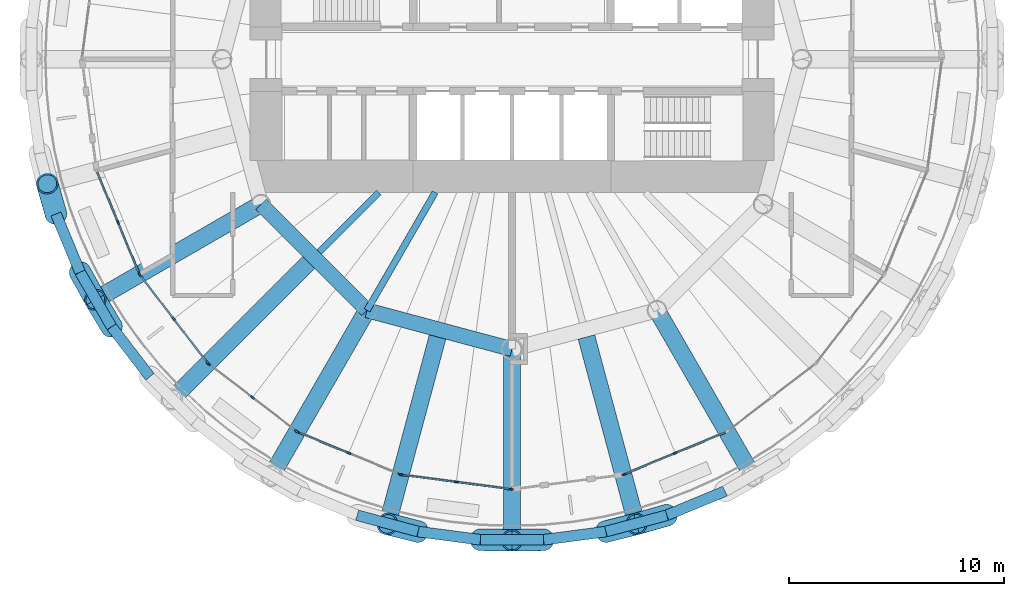
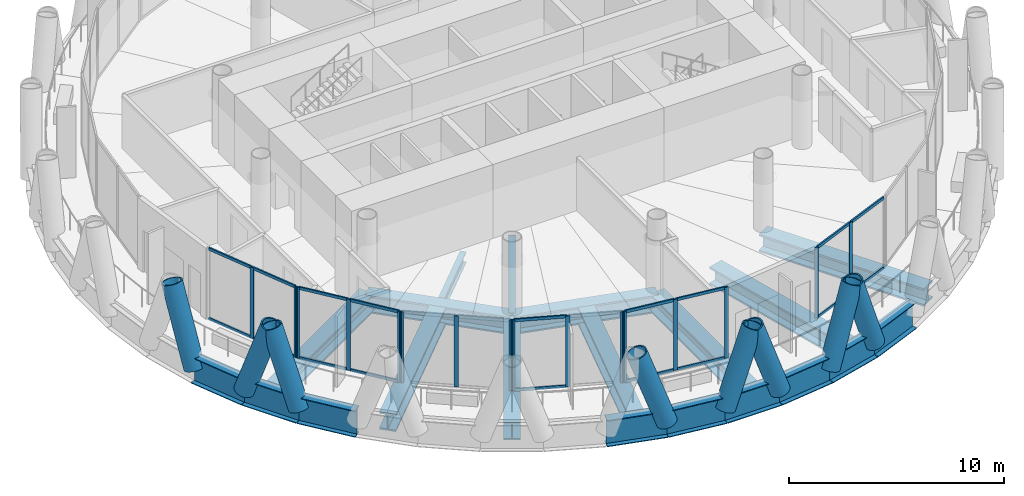
# One storey, part 2 of 14: 42 members, 20 beams, 6 elements without a shape of their own.
"""IFC4 building model written with IfcOpenShell, lengths in metres."""

from ifc_helpers import new_model, si_unit, direction, frame, origin, origin_2d, place, context, subcontext, project, spatial, rectangle, hollow_circle, i_section, extrude, material, material_profile, profile_set, type_object, element, aggregate, save


model = new_model("IFC4")

# Units and contexts
model_context = context("Model", 3, precision=1e-05, world=origin(), true_north=direction((0.0, 1.0)))
body_context = subcontext(model_context, "Body", "Model", "MODEL_VIEW")
ifc_project = project(units=[si_unit("LENGTHUNIT", "METRE"), si_unit("AREAUNIT", "SQUARE_METRE"), si_unit("VOLUMEUNIT", "CUBIC_METRE"), si_unit("PLANEANGLEUNIT", "RADIAN"), si_unit("MASSUNIT", "GRAM", prefix="KILO")], contexts=[model_context])

# Site, building, storey
site_placement = place(None, origin())
site = spatial("IfcSite", under=ifc_project, at=site_placement, CompositionType="ELEMENT")
building_placement = place(site_placement, origin())
building = spatial("IfcBuilding", under=site, at=building_placement, Name="Qaws Media Tower", CompositionType="ELEMENT")
storey_placement = place(building_placement, frame((0.0, 0.0, 240.199951171875)))
storey = spatial("IfcBuildingStorey", under=building, at=storey_placement, Name="L55", CompositionType="ELEMENT", Elevation=240.199951171875)

# Curtain wall, members
ifc_material_1 = material(Name="Aluminium and clear glass", Category="aluminium")
curtain_wall_type = type_object("IfcCurtainWallType", Name="Unitised curtain wall CW-C", PredefinedType="NOTDEFINED", material=ifc_material_1)
curtain_wall_1_placement = place(storey_placement, origin())
curtain_wall_1 = element("IfcCurtainWall", 1, at=curtain_wall_1_placement, inside=storey, type_object=curtain_wall_type, Name="CWC curtain wall L55-14", PredefinedType="NOTDEFINED")
ifc_material_2 = material(Name="Aluminium mullion", Category="aluminium")
ifc_material_profile_1 = material_profile(ifc_material_2, rectangle(XDim=0.080078125, YDim=0.199951171875, at=origin_2d()), Name="80x200")
ifc_profile_set_1 = profile_set([ifc_material_profile_1], Name="Aluminium mullion")
member_type_1 = type_object("IfcMemberType", Name="Curtain wall mullion 80x200", PredefinedType="MULLION", material=ifc_profile_set_1)
member_1_placement = place(storey_placement, frame((41.657470703125, 42.40234375, 0.0), z_axis=(0.0, 0.0, 1.0), x_axis=(0.923879540446, 0.382683413209, 0.0)))
member_1 = element("IfcMember", 2, at=member_1_placement, type_object=member_type_1, Name="CWC mullion 2", PredefinedType="MULLION", context=body_context, shape_type="SweptSolid", body=[
    extrude(rectangle(XDim=0.080078125, YDim=0.199951171875, at=origin_2d()), origin(), (0.0, 0.0, 1.0), 4.0400390625),
])
member_2_placement = place(storey_placement, frame((42.642578125, 40.0244140625, 0.0), z_axis=(0.0, 0.0, 1.0), x_axis=(0.923879540446, 0.382683413209, 0.0)))
member_2 = element("IfcMember", 3, at=member_2_placement, type_object=member_type_1, Name="CWC mullion 3", PredefinedType="MULLION", context=body_context, shape_type="SweptSolid", body=[
    extrude(rectangle(XDim=0.080078125, YDim=0.199951171875, at=origin_2d()), origin(), (0.0, 0.0, 1.0), 4.0400390625),
])

curtain_wall_2_placement = place(storey_placement, origin())
curtain_wall_2 = element("IfcCurtainWall", 4, at=curtain_wall_2_placement, inside=storey, type_object=curtain_wall_type, Name="CWC curtain wall L55-15", PredefinedType="NOTDEFINED")
member_3_placement = place(storey_placement, frame((42.68212890625, 39.955810546875, 0.0), z_axis=(0.0, 0.0, 1.0), x_axis=(0.793353265683, 0.60876152624, 0.0)))
member_3 = element("IfcMember", 5, at=member_3_placement, type_object=member_type_1, Name="CWC mullion 1", PredefinedType="MULLION", context=body_context, shape_type="SweptSolid", body=[
    extrude(rectangle(XDim=0.080078125, YDim=0.199951171875, at=origin_2d()), origin(), (0.0, 0.0, 1.0), 4.0400390625),
])
member_4_placement = place(storey_placement, frame((44.2490234375, 37.913818359375, 0.0), z_axis=(0.0, 0.0, 1.0), x_axis=(0.793353265683, 0.60876152624, 0.0)))
member_4 = element("IfcMember", 6, at=member_4_placement, type_object=member_type_1, Name="CWC mullion 2", PredefinedType="MULLION", context=body_context, shape_type="SweptSolid", body=[
    extrude(rectangle(XDim=0.080078125, YDim=0.199951171875, at=origin_2d()), origin(), (0.0, 0.0, 1.0), 4.0400390625),
])
member_5_placement = place(storey_placement, frame((45.81591796875, 35.871826171875, 0.0), z_axis=(0.0, 0.0, 1.0), x_axis=(0.793353265683, 0.60876152624, 0.0)))
member_5 = element("IfcMember", 7, at=member_5_placement, type_object=member_type_1, Name="CWC mullion 3", PredefinedType="MULLION", context=body_context, shape_type="SweptSolid", body=[
    extrude(rectangle(XDim=0.080078125, YDim=0.199951171875, at=origin_2d()), origin(), (0.0, 0.0, 1.0), 4.0400390625),
])

curtain_wall_3_placement = place(storey_placement, origin())
curtain_wall_3 = element("IfcCurtainWall", 8, at=curtain_wall_3_placement, inside=storey, type_object=curtain_wall_type, Name="CWC curtain wall L55-16", PredefinedType="NOTDEFINED")
member_6_placement = place(storey_placement, frame((45.871826171875, 35.81591796875, 0.0), z_axis=(0.0, 0.0, 1.0), x_axis=(0.60876152624, 0.793353265683, 0.0)))
member_6 = element("IfcMember", 9, at=member_6_placement, type_object=member_type_1, Name="CWC mullion 1", PredefinedType="MULLION", context=body_context, shape_type="SweptSolid", body=[
    extrude(rectangle(XDim=0.080078125, YDim=0.199951171875, at=origin_2d()), origin(), (0.0, 0.0, 1.0), 4.0400390625),
])
member_7_placement = place(storey_placement, frame((47.913818359375, 34.2490234375, 0.0), z_axis=(0.0, 0.0, 1.0), x_axis=(0.60876152624, 0.793353265683, 0.0)))
member_7 = element("IfcMember", 10, at=member_7_placement, type_object=member_type_1, Name="CWC mullion 2", PredefinedType="MULLION", context=body_context, shape_type="SweptSolid", body=[
    extrude(rectangle(XDim=0.080078125, YDim=0.199951171875, at=origin_2d()), origin(), (0.0, 0.0, 1.0), 4.0400390625),
])
member_8_placement = place(storey_placement, frame((49.955810546875, 32.68212890625, 0.0), z_axis=(0.0, 0.0, 1.0), x_axis=(0.60876152624, 0.793353265683, 0.0)))
member_8 = element("IfcMember", 11, at=member_8_placement, type_object=member_type_1, Name="CWC mullion 3", PredefinedType="MULLION", context=body_context, shape_type="SweptSolid", body=[
    extrude(rectangle(XDim=0.080078125, YDim=0.199951171875, at=origin_2d()), origin(), (0.0, 0.0, 1.0), 4.0400390625),
])
aggregate(curtain_wall_3, [member_6, member_7, member_8])

curtain_wall_4_placement = place(storey_placement, origin())
curtain_wall_4 = element("IfcCurtainWall", 12, at=curtain_wall_4_placement, inside=storey, type_object=curtain_wall_type, Name="CWC curtain wall L55-17", PredefinedType="NOTDEFINED")
member_9_placement = place(storey_placement, frame((50.0244140625, 32.642578125, 0.0), z_axis=(0.0, 0.0, 1.0), x_axis=(0.382683413209, 0.923879540446, 0.0)))
member_9 = element("IfcMember", 13, at=member_9_placement, type_object=member_type_1, Name="CWC mullion 1", PredefinedType="MULLION", context=body_context, shape_type="SweptSolid", body=[
    extrude(rectangle(XDim=0.080078125, YDim=0.199951171875, at=origin_2d()), origin(), (0.0, 0.0, 1.0), 4.0400390625),
])
member_10_placement = place(storey_placement, frame((52.40234375, 31.657470703125, 0.0), z_axis=(0.0, 0.0, 1.0), x_axis=(0.382683413209, 0.923879540446, 0.0)))
member_10 = element("IfcMember", 14, at=member_10_placement, type_object=member_type_1, Name="CWC mullion 2", PredefinedType="MULLION", context=body_context, shape_type="SweptSolid", body=[
    extrude(rectangle(XDim=0.080078125, YDim=0.199951171875, at=origin_2d()), origin(), (0.0, 0.0, 1.0), 4.0400390625),
])
member_11_placement = place(storey_placement, frame((54.7802734375, 30.672607421875, 0.0), z_axis=(0.0, 0.0, 1.0), x_axis=(0.382683413209, 0.923879540446, 0.0)))
member_11 = element("IfcMember", 15, at=member_11_placement, type_object=member_type_1, Name="CWC mullion 3", PredefinedType="MULLION", context=body_context, shape_type="SweptSolid", body=[
    extrude(rectangle(XDim=0.080078125, YDim=0.199951171875, at=origin_2d()), origin(), (0.0, 0.0, 1.0), 4.0400390625),
])

curtain_wall_5_placement = place(storey_placement, origin())
curtain_wall_5 = element("IfcCurtainWall", 16, at=curtain_wall_5_placement, inside=storey, type_object=curtain_wall_type, Name="CWC curtain wall L55-18", PredefinedType="NOTDEFINED")
member_12_placement = place(storey_placement, frame((54.856689453125, 30.652099609375, 0.0), z_axis=(0.0, 0.0, 1.0), x_axis=(0.130526139806, 0.991444868274, 0.0)))
member_12 = element("IfcMember", 17, at=member_12_placement, type_object=member_type_1, Name="CWC mullion 1", PredefinedType="MULLION", context=body_context, shape_type="SweptSolid", body=[
    extrude(rectangle(XDim=0.080078125, YDim=0.199951171875, at=origin_2d()), origin(), (0.0, 0.0, 1.0), 4.0400390625),
])
member_13_placement = place(storey_placement, frame((57.40869140625, 30.316162109375, 0.0), z_axis=(0.0, 0.0, 1.0), x_axis=(0.130526139806, 0.991444868274, 0.0)))
member_13 = element("IfcMember", 18, at=member_13_placement, type_object=member_type_1, Name="CWC mullion 2", PredefinedType="MULLION", context=body_context, shape_type="SweptSolid", body=[
    extrude(rectangle(XDim=0.080078125, YDim=0.199951171875, at=origin_2d()), origin(), (0.0, 0.0, 1.0), 4.0400390625),
])
member_14_placement = place(storey_placement, frame((59.96044921875, 29.980224609375, 0.0), z_axis=(0.0, 0.0, 1.0), x_axis=(0.130526139806, 0.991444868274, 0.0)))
member_14 = element("IfcMember", 19, at=member_14_placement, type_object=member_type_1, Name="CWC mullion 3", PredefinedType="MULLION", context=body_context, shape_type="SweptSolid", body=[
    extrude(rectangle(XDim=0.080078125, YDim=0.199951171875, at=origin_2d()), origin(), (0.0, 0.0, 1.0), 4.0400390625),
])

curtain_wall_6_placement = place(storey_placement, origin())
curtain_wall_6 = element("IfcCurtainWall", 20, at=curtain_wall_6_placement, inside=storey, type_object=curtain_wall_type, Name="CWC curtain wall L55-20", PredefinedType="NOTDEFINED")
member_15_placement = place(storey_placement, frame((65.2197265625, 30.672607421875, 0.0), z_axis=(0.0, 0.0, 1.0), x_axis=(-0.382683413209, 0.923879540446, 0.0)))
member_15 = element("IfcMember", 21, at=member_15_placement, type_object=member_type_1, Name="CWC mullion 1", PredefinedType="MULLION", context=body_context, shape_type="SweptSolid", body=[
    extrude(rectangle(XDim=0.080078125, YDim=0.199951171875, at=origin_2d()), origin(), (0.0, 0.0, 1.0), 4.0400390625),
])
member_16_placement = place(storey_placement, frame((67.59765625, 31.657470703125, 0.0), z_axis=(0.0, 0.0, 1.0), x_axis=(-0.382683413209, 0.923879540446, 0.0)))
member_16 = element("IfcMember", 22, at=member_16_placement, type_object=member_type_1, Name="CWC mullion 2", PredefinedType="MULLION", context=body_context, shape_type="SweptSolid", body=[
    extrude(rectangle(XDim=0.080078125, YDim=0.199951171875, at=origin_2d()), origin(), (0.0, 0.0, 1.0), 4.0400390625),
])

# Member
ifc_material_3 = material(Name="Aluminium transom", Category="aluminium")
ifc_material_profile_2 = material_profile(ifc_material_3, rectangle(XDim=0.080078125, YDim=0.159912109375, at=origin_2d()), Name="80x160")
ifc_profile_set_2 = profile_set([ifc_material_profile_2], Name="Aluminium transom")
member_type_2 = type_object("IfcMemberType", Name="Curtain wall transom 80x160", PredefinedType="USERDEFINED", material=ifc_profile_set_2)
member_17_placement = place(storey_placement, frame((40.68798828125, 44.7431640625, 0.0400390625), z_axis=(0.382688998608, -0.923877226878, 0.0), x_axis=(0.923877226878, 0.382688998608, 0.0)))
member_17 = element("IfcMember", 23, at=member_17_placement, type_object=member_type_2, Name="CWC transom 1.1", ObjectType="TRANSOM", PredefinedType="USERDEFINED", context=body_context, shape_type="SweptSolid", body=[
    extrude(rectangle(XDim=0.080078125, YDim=0.159912109375, at=origin_2d()), origin(), (0.0, 0.0, 1.0), 2.493896484375),
])

member_18_placement = place(storey_placement, frame((40.68798828125, 44.7431640625, 4.0), z_axis=(0.382688998608, -0.923877226878, 0.0), x_axis=(0.923877226878, 0.382688998608, 0.0)))
member_18 = element("IfcMember", 24, at=member_18_placement, type_object=member_type_2, Name="CWC transom 1.2", ObjectType="TRANSOM", PredefinedType="USERDEFINED", context=body_context, shape_type="SweptSolid", body=[
    extrude(rectangle(XDim=0.080078125, YDim=0.159912109375, at=origin_2d()), origin(), (0.0, 0.0, 1.0), 2.493896484375),
])

member_19_placement = place(storey_placement, frame((41.6728515625, 42.365478515625, 0.0400390625), z_axis=(0.382688998608, -0.923877226878, 0.0), x_axis=(0.923877226878, 0.382688998608, 0.0)))
member_19 = element("IfcMember", 25, at=member_19_placement, type_object=member_type_2, Name="CWC transom 2.1", ObjectType="TRANSOM", PredefinedType="USERDEFINED", context=body_context, shape_type="SweptSolid", body=[
    extrude(rectangle(XDim=0.080078125, YDim=0.159912109375, at=origin_2d()), origin(), (0.0, 0.0, 1.0), 2.493896484375),
])

member_20_placement = place(storey_placement, frame((41.6728515625, 42.365478515625, 4.0), z_axis=(0.382688998608, -0.923877226878, 0.0), x_axis=(0.923877226878, 0.382688998608, 0.0)))
member_20 = element("IfcMember", 26, at=member_20_placement, type_object=member_type_2, Name="CWC transom 2.2", ObjectType="TRANSOM", PredefinedType="USERDEFINED", context=body_context, shape_type="SweptSolid", body=[
    extrude(rectangle(XDim=0.080078125, YDim=0.159912109375, at=origin_2d()), origin(), (0.0, 0.0, 1.0), 2.493896484375),
])

aggregate(curtain_wall_1, [member_1, member_2, member_17, member_18, member_19, member_20])

member_21_placement = place(storey_placement, frame((42.70654296875, 39.924072265625, 0.0400390625), z_axis=(0.608735677651, -0.793373099339, 0.0), x_axis=(0.793373099339, 0.608735677651, 0.0)))
member_21 = element("IfcMember", 27, at=member_21_placement, type_object=member_type_2, Name="CWC transom 1.1", ObjectType="TRANSOM", PredefinedType="USERDEFINED", context=body_context, shape_type="SweptSolid", body=[
    extrude(rectangle(XDim=0.080078125, YDim=0.159912109375, at=origin_2d()), origin(), (0.0, 0.0, 1.0), 2.493896484375),
])

member_22_placement = place(storey_placement, frame((42.70654296875, 39.924072265625, 4.0), z_axis=(0.608735677651, -0.793373099339, 0.0), x_axis=(0.793373099339, 0.608735677651, 0.0)))
member_22 = element("IfcMember", 28, at=member_22_placement, type_object=member_type_2, Name="CWC transom 1.2", ObjectType="TRANSOM", PredefinedType="USERDEFINED", context=body_context, shape_type="SweptSolid", body=[
    extrude(rectangle(XDim=0.080078125, YDim=0.159912109375, at=origin_2d()), origin(), (0.0, 0.0, 1.0), 2.493896484375),
])

member_23_placement = place(storey_placement, frame((44.2734375, 37.882080078125, 0.0400390625), z_axis=(0.608735677651, -0.793373099339, 0.0), x_axis=(0.793373099339, 0.608735677651, 0.0)))
member_23 = element("IfcMember", 29, at=member_23_placement, type_object=member_type_2, Name="CWC transom 2.1", ObjectType="TRANSOM", PredefinedType="USERDEFINED", context=body_context, shape_type="SweptSolid", body=[
    extrude(rectangle(XDim=0.080078125, YDim=0.159912109375, at=origin_2d()), origin(), (0.0, 0.0, 1.0), 2.493896484375),
])

member_24_placement = place(storey_placement, frame((44.2734375, 37.882080078125, 4.0), z_axis=(0.608735677651, -0.793373099339, 0.0), x_axis=(0.793373099339, 0.608735677651, 0.0)))
member_24 = element("IfcMember", 30, at=member_24_placement, type_object=member_type_2, Name="CWC transom 2.2", ObjectType="TRANSOM", PredefinedType="USERDEFINED", context=body_context, shape_type="SweptSolid", body=[
    extrude(rectangle(XDim=0.080078125, YDim=0.159912109375, at=origin_2d()), origin(), (0.0, 0.0, 1.0), 2.493896484375),
])

aggregate(curtain_wall_2, [member_3, member_4, member_5, member_21, member_22, member_23, member_24])

member_25_placement = place(storey_placement, frame((50.0615234375, 32.627197265625, 0.0400390625), z_axis=(0.923877226878, -0.382688998608, 0.0), x_axis=(0.382688998608, 0.923877226878, 0.0)))
member_25 = element("IfcMember", 31, at=member_25_placement, type_object=member_type_2, Name="CWC transom 1.1", ObjectType="TRANSOM", PredefinedType="USERDEFINED", context=body_context, shape_type="SweptSolid", body=[
    extrude(rectangle(XDim=0.080078125, YDim=0.159912109375, at=origin_2d()), origin(), (0.0, 0.0, 1.0), 2.493896484375),
])

member_26_placement = place(storey_placement, frame((50.0615234375, 32.627197265625, 4.0), z_axis=(0.923877226878, -0.382688998608, 0.0), x_axis=(0.382688998608, 0.923877226878, 0.0)))
member_26 = element("IfcMember", 32, at=member_26_placement, type_object=member_type_2, Name="CWC transom 1.2", ObjectType="TRANSOM", PredefinedType="USERDEFINED", context=body_context, shape_type="SweptSolid", body=[
    extrude(rectangle(XDim=0.080078125, YDim=0.159912109375, at=origin_2d()), origin(), (0.0, 0.0, 1.0), 2.493896484375),
])

aggregate(curtain_wall_4, [member_9, member_10, member_11, member_25, member_26])

member_27_placement = place(storey_placement, frame((54.896484375, 30.64697265625, 0.0400390625), z_axis=(0.991435291463, -0.13059886233, 0.0), x_axis=(0.13059886233, 0.991435291463, 0.0)))
member_27 = element("IfcMember", 33, at=member_27_placement, type_object=member_type_2, Name="CWC transom 1.1", ObjectType="TRANSOM", PredefinedType="USERDEFINED", context=body_context, shape_type="SweptSolid", body=[
    extrude(rectangle(XDim=0.080078125, YDim=0.159912109375, at=origin_2d()), origin(), (0.0, 0.0, 1.0), 2.49365234375),
])

member_28_placement = place(storey_placement, frame((54.896484375, 30.64697265625, 4.0), z_axis=(0.991435291463, -0.13059886233, 0.0), x_axis=(0.13059886233, 0.991435291463, 0.0)))
member_28 = element("IfcMember", 34, at=member_28_placement, type_object=member_type_2, Name="CWC transom 1.2", ObjectType="TRANSOM", PredefinedType="USERDEFINED", context=body_context, shape_type="SweptSolid", body=[
    extrude(rectangle(XDim=0.080078125, YDim=0.159912109375, at=origin_2d()), origin(), (0.0, 0.0, 1.0), 2.49365234375),
])

member_29_placement = place(storey_placement, frame((57.4482421875, 30.31103515625, 0.0400390625), z_axis=(0.991435291463, -0.13059886233, 0.0), x_axis=(0.13059886233, 0.991435291463, 0.0)))
member_29 = element("IfcMember", 35, at=member_29_placement, type_object=member_type_2, Name="CWC transom 2.1", ObjectType="TRANSOM", PredefinedType="USERDEFINED", context=body_context, shape_type="SweptSolid", body=[
    extrude(rectangle(XDim=0.080078125, YDim=0.159912109375, at=origin_2d()), origin(), (0.0, 0.0, 1.0), 2.49365234375),
])

member_30_placement = place(storey_placement, frame((57.4482421875, 30.31103515625, 4.0), z_axis=(0.991435291463, -0.13059886233, 0.0), x_axis=(0.13059886233, 0.991435291463, 0.0)))
member_30 = element("IfcMember", 36, at=member_30_placement, type_object=member_type_2, Name="CWC transom 2.2", ObjectType="TRANSOM", PredefinedType="USERDEFINED", context=body_context, shape_type="SweptSolid", body=[
    extrude(rectangle(XDim=0.080078125, YDim=0.159912109375, at=origin_2d()), origin(), (0.0, 0.0, 1.0), 2.49365234375),
])

aggregate(curtain_wall_5, [member_12, member_13, member_14, member_27, member_28, member_29, member_30])

member_31_placement = place(storey_placement, frame((65.2568359375, 30.68798828125, 0.0400390625), z_axis=(0.923877226878, 0.382688998608, 0.0), x_axis=(-0.382688998608, 0.923877226878, 0.0)))
member_31 = element("IfcMember", 37, at=member_31_placement, type_object=member_type_2, Name="CWC transom 1.1", ObjectType="TRANSOM", PredefinedType="USERDEFINED", context=body_context, shape_type="SweptSolid", body=[
    extrude(rectangle(XDim=0.080078125, YDim=0.159912109375, at=origin_2d()), origin(), (0.0, 0.0, 1.0), 2.493896484375),
])

member_32_placement = place(storey_placement, frame((65.2568359375, 30.68798828125, 4.0), z_axis=(0.923877226878, 0.382688998608, 0.0), x_axis=(-0.382688998608, 0.923877226878, 0.0)))
member_32 = element("IfcMember", 38, at=member_32_placement, type_object=member_type_2, Name="CWC transom 1.2", ObjectType="TRANSOM", PredefinedType="USERDEFINED", context=body_context, shape_type="SweptSolid", body=[
    extrude(rectangle(XDim=0.080078125, YDim=0.159912109375, at=origin_2d()), origin(), (0.0, 0.0, 1.0), 2.493896484375),
])

member_33_placement = place(storey_placement, frame((67.634521484375, 31.6728515625, 0.0400390625), z_axis=(0.923877226878, 0.382688998608, 0.0), x_axis=(-0.382688998608, 0.923877226878, 0.0)))
member_33 = element("IfcMember", 39, at=member_33_placement, type_object=member_type_2, Name="CWC transom 2.1", ObjectType="TRANSOM", PredefinedType="USERDEFINED", context=body_context, shape_type="SweptSolid", body=[
    extrude(rectangle(XDim=0.080078125, YDim=0.159912109375, at=origin_2d()), origin(), (0.0, 0.0, 1.0), 2.493896484375),
])

member_34_placement = place(storey_placement, frame((67.634521484375, 31.6728515625, 4.0), z_axis=(0.923877226878, 0.382688998608, 0.0), x_axis=(-0.382688998608, 0.923877226878, 0.0)))
member_34 = element("IfcMember", 40, at=member_34_placement, type_object=member_type_2, Name="CWC transom 2.2", ObjectType="TRANSOM", PredefinedType="USERDEFINED", context=body_context, shape_type="SweptSolid", body=[
    extrude(rectangle(XDim=0.080078125, YDim=0.159912109375, at=origin_2d()), origin(), (0.0, 0.0, 1.0), 2.493896484375),
])

aggregate(curtain_wall_6, [member_15, member_16, member_31, member_32, member_33, member_34])

# Members
ifc_material_4 = material(Name="Steel S460", Category="steel")
ifc_material_profile_3 = material_profile(ifc_material_4, hollow_circle(Radius=0.508056640625, WallThickness=0.070068359375, at=origin_2d()), Name="CHS 1016x70")
ifc_profile_set_3 = profile_set([ifc_material_profile_3], Name="Steel S460")
member_type_3 = type_object("IfcMemberType", Name="Diagrid member CHS 1016x70", PredefinedType="USERDEFINED", material=ifc_profile_set_3)
for number, where, z_axis, x_axis, name in (
    (41, (39.8876953125, 40.081787109375, -0.909912109375), (0.16035500825, -0.288112181147, 0.944075019479), (0.873780180537, 0.486321083339, 0.0), "DG3 diagrid L55 A14"),
    (42, (38.76513671875, 42.791748046875, -0.909912109375), (-0.090330842565, 0.317090892068, 0.944083526521), (-0.961737213198, -0.273973598637, 0.0), "DG3 diagrid L55 B14"),
    (43, (41.354248046875, 37.541259765625, -0.909912109375), (-0.16929995642, 0.282953184863, 0.944073630567), (-0.858123742707, -0.513442929839, 0.0), "DG3 diagrid L55 B15"),
    (44, (58.533447265625, 27.623046875, -0.909912109375), (0.329659035617, -0.005158639812, 0.944085964662), (0.015646494605, 0.999877586111, 0.0), "DG3 diagrid L55 A18"),
    (45, (55.625, 28.005859375, -0.909912109375), (-0.319778699284, 0.080342546036, 0.944079794711), (-0.243671181158, -0.969857904785, 0.0), "DG3 diagrid L55 B18"),
    (46, (64.375, 28.005859375, -0.909912109375), (0.319778699284, 0.080342546036, 0.944079794711), (-0.243671181158, 0.969857904785, 0.0), "DG3 diagrid L55 A19"),
    (47, (61.466552734375, 27.623046875, -0.909912109375), (-0.329659035617, -0.005158639812, 0.944085964662), (0.015646494605, -0.999877586111, 0.0), "DG3 diagrid L55 B19"),
    (48, (67.208251953125, 28.76513671875, -0.909912109375), (-0.317090892068, -0.090330842565, 0.944083526521), (0.273973598637, -0.961737213198, 0.0), "DG3 diagrid L55 B20"),
):
    element("IfcMember", number, at=place(storey_placement, frame(where, z_axis=z_axis, x_axis=x_axis)), inside=storey, type_object=member_type_3, Name=name, ObjectType="DIAGRID", PredefinedType="USERDEFINED", context=body_context, shape_type="SweptSolid", body=[
        extrude(hollow_circle(Radius=0.508056640625, WallThickness=0.070068359375, at=origin_2d()), origin(), (0.0, 0.0, 1.0), 4.44873046875),
    ])

# Beams
ifc_material_5 = material(Name="Steel S460", Category="steel")
ifc_material_profile_4 = material_profile(ifc_material_5, i_section(OverallWidth=0.5, OverallDepth=1.5, WebThickness=0.02001953125, FlangeThickness=0.0400390625, at=origin_2d()), Name="PG 1500x500")
ifc_profile_set_4 = profile_set([ifc_material_profile_4], Name="Steel S460")
beam_type_1 = type_object("IfcBeamType", Name="Edge ring beam PG 1500x500", PredefinedType="BEAM", material=ifc_profile_set_4)
for number, where, z_axis, x_axis, name in (
    (49, (38.76513671875, 42.791748046875, -0.909912109375), (0.382699733613, -0.923872780145, 0.0), (0.923872780145, 0.382699733613, 0.0), "RB4 edge ring beam L55-27"),
    (50, (39.8876953125, 40.081787109375, -0.909912109375), (0.499943390069, -0.866058085077, 0.0), (0.866058085077, 0.499943390069, 0.0), "RB4 edge ring beam L55-28"),
    (51, (41.354248046875, 37.541259765625, -0.909912109375), (0.608753002635, -0.793359806004, 0.0), (0.793359806004, 0.608753002635, 0.0), "RB4 edge ring beam L55-29"),
):
    element("IfcBeam", number, at=place(storey_placement, frame(where, z_axis=z_axis, x_axis=x_axis)), inside=storey, type_object=beam_type_1, Name=name, PredefinedType="BEAM", context=body_context, shape_type="SweptSolid", body=[
        extrude(i_section(OverallWidth=0.5, OverallDepth=1.5, WebThickness=0.02001953125, FlangeThickness=0.0400390625, at=origin_2d()), origin(), (0.0, 0.0, 1.0), 2.933349609375),
    ])
beam_1_placement = place(storey_placement, frame((52.791748046875, 28.76513671875, -0.909912109375), z_axis=(0.965916469839, -0.258853961327, 0.0), x_axis=(0.258853961327, 0.965916469839, 0.0)))
element("IfcBeam", 52, at=beam_1_placement, inside=storey, type_object=beam_type_1, Name="RB4 edge ring beam L55-34", PredefinedType="BEAM", context=body_context, shape_type="SweptSolid", body=[
    extrude(i_section(OverallWidth=0.5, OverallDepth=1.5, WebThickness=0.02001953125, FlangeThickness=0.0400390625, at=origin_2d()), origin(), (0.0, 0.0, 1.0), 2.93310546875),
])
beam_2_placement = place(storey_placement, frame((55.625, 28.005859375, -0.909912109375), z_axis=(0.991448912608, -0.130495416349, 0.0), x_axis=(0.130495416349, 0.991448912608, 0.0)))
element("IfcBeam", 53, at=beam_2_placement, inside=storey, type_object=beam_type_1, Name="RB4 edge ring beam L55-35", PredefinedType="BEAM", context=body_context, shape_type="SweptSolid", body=[
    extrude(i_section(OverallWidth=0.5, OverallDepth=1.5, WebThickness=0.02001953125, FlangeThickness=0.0400390625, at=origin_2d()), origin(), (0.0, 0.0, 1.0), 2.93359375),
])
beam_3_placement = place(storey_placement, frame((58.533447265625, 27.623046875, -0.909912109375), z_axis=(1.0, 0.0, 0.0), x_axis=(0.0, 1.0, 0.0)))
element("IfcBeam", 54, at=beam_3_placement, inside=storey, type_object=beam_type_1, Name="RB4 edge ring beam L55-36", PredefinedType="BEAM", context=body_context, shape_type="SweptSolid", body=[
    extrude(i_section(OverallWidth=0.5, OverallDepth=1.5, WebThickness=0.02001953125, FlangeThickness=0.0400390625, at=origin_2d()), origin(), (0.0, 0.0, 1.0), 2.93310546875),
])
beam_4_placement = place(storey_placement, frame((61.466552734375, 27.623046875, -0.909912109375), z_axis=(0.991448912608, 0.130495416349, 0.0), x_axis=(-0.130495416349, 0.991448912608, 0.0)))
element("IfcBeam", 55, at=beam_4_placement, inside=storey, type_object=beam_type_1, Name="RB4 edge ring beam L55-37", PredefinedType="BEAM", context=body_context, shape_type="SweptSolid", body=[
    extrude(i_section(OverallWidth=0.5, OverallDepth=1.5, WebThickness=0.02001953125, FlangeThickness=0.0400390625, at=origin_2d()), origin(), (0.0, 0.0, 1.0), 2.93359375),
])
beam_5_placement = place(storey_placement, frame((64.375, 28.005859375, -0.909912109375), z_axis=(0.965916469839, 0.258853961327, 0.0), x_axis=(-0.258853961327, 0.965916469839, 0.0)))
element("IfcBeam", 56, at=beam_5_placement, inside=storey, type_object=beam_type_1, Name="RB4 edge ring beam L55-38", PredefinedType="BEAM", context=body_context, shape_type="SweptSolid", body=[
    extrude(i_section(OverallWidth=0.5, OverallDepth=1.5, WebThickness=0.02001953125, FlangeThickness=0.0400390625, at=origin_2d()), origin(), (0.0, 0.0, 1.0), 2.93310546875),
])
beam_6_placement = place(storey_placement, frame((67.208251953125, 28.76513671875, -0.909912109375), z_axis=(0.923872780145, 0.382699733613, 0.0), x_axis=(-0.382699733613, 0.923872780145, 0.0)))
element("IfcBeam", 57, at=beam_6_placement, inside=storey, type_object=beam_type_1, Name="RB4 edge ring beam L55-39", PredefinedType="BEAM", context=body_context, shape_type="SweptSolid", body=[
    extrude(i_section(OverallWidth=0.5, OverallDepth=1.5, WebThickness=0.02001953125, FlangeThickness=0.0400390625, at=origin_2d()), origin(), (0.0, 0.0, 1.0), 2.933349609375),
])
ifc_material_6 = material(Name="Steel S460", Category="steel")
ifc_material_profile_5 = material_profile(ifc_material_6, i_section(OverallWidth=0.699951171875, OverallDepth=1.0, WebThickness=0.034912109375, FlangeThickness=0.090087890625, at=origin_2d()), Name="PG 1000x700")
ifc_profile_set_5 = profile_set([ifc_material_profile_5], Name="Steel S460")
beam_type_2 = type_object("IfcBeamType", Name="Inner ring girder PG 1000x700", PredefinedType="BEAM", material=ifc_profile_set_5)
beam_7_placement = place(storey_placement, frame((48.30859375, 43.25, -0.659912109375), z_axis=(0.707106781187, -0.707106781187, 0.0), x_axis=(0.707106781187, 0.707106781187, 0.0)))
element("IfcBeam", 58, at=beam_7_placement, inside=storey, type_object=beam_type_2, Name="B3 inner ring beam L55 I08-I09", PredefinedType="BEAM", context=body_context, shape_type="SweptSolid", body=[
    extrude(i_section(OverallWidth=0.699951171875, OverallDepth=1.0, WebThickness=0.034912109375, FlangeThickness=0.090087890625, at=origin_2d()), origin(), (0.0, 0.0, 1.0), 6.98828125),
])
beam_8_placement = place(storey_placement, frame((53.25, 38.30859375, -0.659912109375), z_axis=(0.965928090778, -0.258810593767, 0.0), x_axis=(0.258810593767, 0.965928090778, 0.0)))
element("IfcBeam", 59, at=beam_8_placement, inside=storey, type_object=beam_type_2, Name="B3 inner ring beam L55 I09-I10", PredefinedType="BEAM", context=body_context, shape_type="SweptSolid", body=[
    extrude(i_section(OverallWidth=0.699951171875, OverallDepth=1.0, WebThickness=0.034912109375, FlangeThickness=0.090087890625, at=origin_2d()), origin(), (0.0, 0.0, 1.0), 6.988037109375),
])
ifc_material_7 = material(Name="Steel S355", Category="steel")
ifc_material_profile_6 = material_profile(ifc_material_7, i_section(OverallWidth=0.304931640625, OverallDepth=0.6201171875, WebThickness=0.02099609375, FlangeThickness=0.0400390625, FilletRadius=0.027099609375, at=origin_2d()), Name="HE 600 M")
ifc_profile_set_6 = profile_set([ifc_material_profile_6], Name="Steel S355")
beam_type_3 = type_object("IfcBeamType", Name="Radial beam HE 600 M, core side", PredefinedType="BEAM", material=ifc_profile_set_6)
beam_9_placement = place(storey_placement, frame((53.800048828125, 43.800048828125, -0.469970703125), z_axis=(-0.707106781187, -0.707106781187, 0.0), x_axis=(0.707106781187, -0.707106781187, 0.0)))
element("IfcBeam", 60, at=beam_9_placement, inside=storey, type_object=beam_type_3, Name="B2 radial beam L55 16", PredefinedType="BEAM", context=body_context, shape_type="SweptSolid", body=[
    extrude(i_section(OverallWidth=0.304931640625, OverallDepth=0.6201171875, WebThickness=0.02099609375, FlangeThickness=0.0400390625, FilletRadius=0.027099609375, at=origin_2d()), origin(), (0.0, 0.0, 1.0), 3.921875),
])
beam_10_placement = place(storey_placement, frame((56.42041015625, 43.800048828125, -0.469970703125), z_axis=(-0.499990193304, -0.866031065609, 0.0), x_axis=(0.866031065609, -0.499990193304, 0.0)))
element("IfcBeam", 61, at=beam_10_placement, inside=storey, type_object=beam_type_3, Name="B2 radial beam L55 17", PredefinedType="BEAM", context=body_context, shape_type="SweptSolid", body=[
    extrude(i_section(OverallWidth=0.304931640625, OverallDepth=0.6201171875, WebThickness=0.02099609375, FlangeThickness=0.0400390625, FilletRadius=0.027099609375, at=origin_2d()), origin(), (0.0, 0.0, 1.0), 6.341064453125),
])
ifc_material_8 = material(Name="Steel S460", Category="steel")
ifc_material_profile_7 = material_profile(ifc_material_8, i_section(OverallWidth=0.800048828125, OverallDepth=1.0, WebThickness=0.0400390625, FlangeThickness=0.10009765625, at=origin_2d()), Name="PG 1000x800")
ifc_profile_set_7 = profile_set([ifc_material_profile_7], Name="Steel S460")
beam_type_4 = type_object("IfcBeamType", Name="Radial girder PG 1000x800", PredefinedType="BEAM", material=ifc_profile_set_7)
beam_11_placement = place(storey_placement, frame((48.30859375, 43.25, -0.659912109375), z_axis=(-0.866027578666, -0.499996232975, 0.0), x_axis=(0.499996232975, -0.866027578666, 0.0)))
element("IfcBeam", 62, at=beam_11_placement, inside=storey, type_object=beam_type_4, Name="B1 radial beam L55 15", PredefinedType="BEAM", context=body_context, shape_type="SweptSolid", body=[
    extrude(i_section(OverallWidth=0.800048828125, OverallDepth=1.0, WebThickness=0.0400390625, FlangeThickness=0.10009765625, at=origin_2d()), origin(), (0.0, 0.0, 1.0), 8.876953125),
])
beam_12_placement = place(storey_placement, frame((50.53173828125, 40.53173828125, -0.659912109375), z_axis=(-0.707106781187, -0.707106781187, 0.0), x_axis=(0.707106781187, -0.707106781187, 0.0)))
element("IfcBeam", 63, at=beam_12_placement, inside=storey, type_object=beam_type_4, Name="B1 radial beam L55 16", PredefinedType="BEAM", context=body_context, shape_type="SweptSolid", body=[
    extrude(i_section(OverallWidth=0.800048828125, OverallDepth=1.0, WebThickness=0.0400390625, FlangeThickness=0.10009765625, at=origin_2d()), origin(), (0.0, 0.0, 1.0), 8.987060546875),
])
beam_13_placement = place(storey_placement, frame((53.25, 38.30859375, -0.659912109375), z_axis=(-0.499996232975, -0.866027578666, 0.0), x_axis=(0.866027578666, -0.499996232975, 0.0)))
element("IfcBeam", 64, at=beam_13_placement, inside=storey, type_object=beam_type_4, Name="B1 radial beam L55 17", PredefinedType="BEAM", context=body_context, shape_type="SweptSolid", body=[
    extrude(i_section(OverallWidth=0.800048828125, OverallDepth=1.0, WebThickness=0.0400390625, FlangeThickness=0.10009765625, at=origin_2d()), origin(), (0.0, 0.0, 1.0), 8.876953125),
])
beam_14_placement = place(storey_placement, frame((56.534423828125, 37.066162109375, -0.659912109375), z_axis=(-0.25881393812, -0.965927194687, 0.0), x_axis=(0.965927194687, -0.25881393812, 0.0)))
element("IfcBeam", 65, at=beam_14_placement, inside=storey, type_object=beam_type_4, Name="B1 radial beam L55 18", PredefinedType="BEAM", context=body_context, shape_type="SweptSolid", body=[
    extrude(i_section(OverallWidth=0.800048828125, OverallDepth=1.0, WebThickness=0.0400390625, FlangeThickness=0.10009765625, at=origin_2d()), origin(), (0.0, 0.0, 1.0), 8.98681640625),
])
beam_15_placement = place(storey_placement, frame((60.0, 36.5, -0.659912109375), z_axis=(0.0, -1.0, 0.0), x_axis=(1.0, 0.0, 0.0)))
element("IfcBeam", 66, at=beam_15_placement, inside=storey, type_object=beam_type_4, Name="B1 radial beam L55 19", PredefinedType="BEAM", context=body_context, shape_type="SweptSolid", body=[
    extrude(i_section(OverallWidth=0.800048828125, OverallDepth=1.0, WebThickness=0.0400390625, FlangeThickness=0.10009765625, at=origin_2d()), origin(), (0.0, 0.0, 1.0), 8.876953125),
])
beam_16_placement = place(storey_placement, frame((63.465576171875, 37.066162109375, -0.659912109375), z_axis=(0.25881393812, -0.965927194687, 0.0), x_axis=(0.965927194687, 0.25881393812, 0.0)))
element("IfcBeam", 67, at=beam_16_placement, inside=storey, type_object=beam_type_4, Name="B1 radial beam L55 20", PredefinedType="BEAM", context=body_context, shape_type="SweptSolid", body=[
    extrude(i_section(OverallWidth=0.800048828125, OverallDepth=1.0, WebThickness=0.0400390625, FlangeThickness=0.10009765625, at=origin_2d()), origin(), (0.0, 0.0, 1.0), 8.98681640625),
])
beam_17_placement = place(storey_placement, frame((66.75, 38.30859375, -0.659912109375), z_axis=(0.499996232975, -0.866027578666, 0.0), x_axis=(0.866027578666, 0.499996232975, 0.0)))
element("IfcBeam", 68, at=beam_17_placement, inside=storey, type_object=beam_type_4, Name="B1 radial beam L55 21", PredefinedType="BEAM", context=body_context, shape_type="SweptSolid", body=[
    extrude(i_section(OverallWidth=0.800048828125, OverallDepth=1.0, WebThickness=0.0400390625, FlangeThickness=0.10009765625, at=origin_2d()), origin(), (0.0, 0.0, 1.0), 8.876953125),
])

save(model, "model.ifc")
